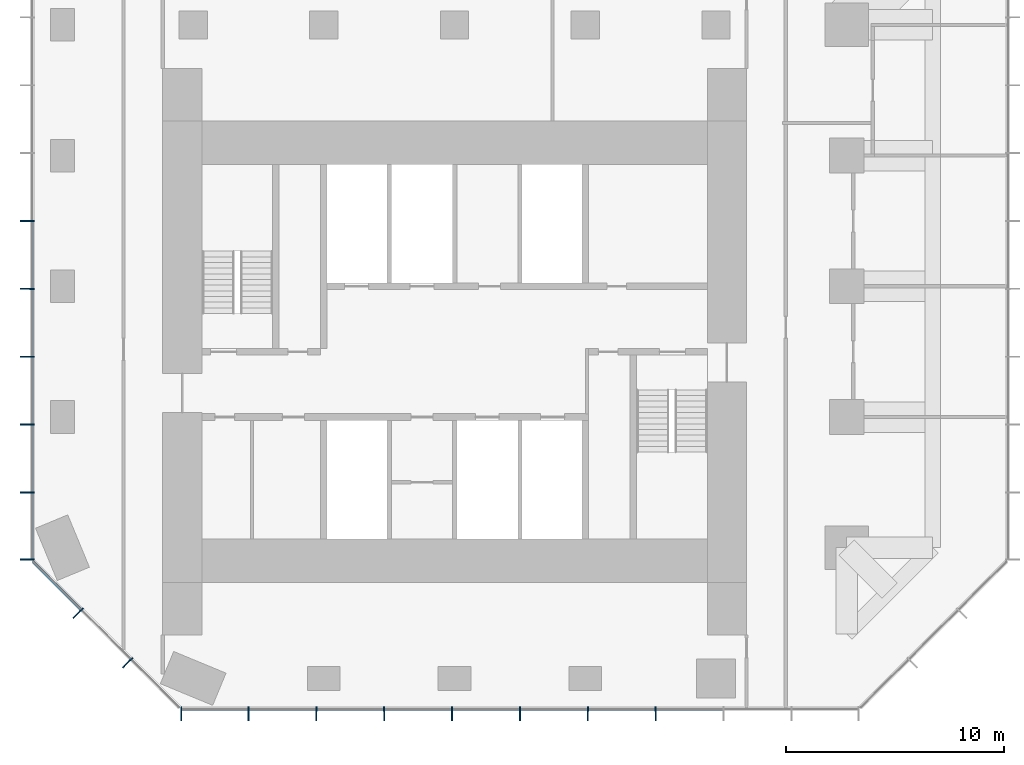
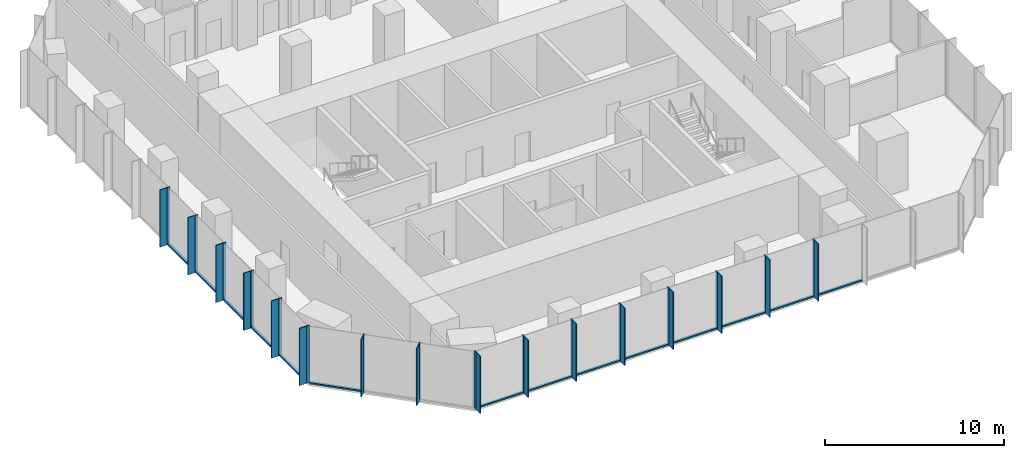
# One storey, part 2 of 11: 46 members, 3 elements without a shape of their own.
"""IFC4 building model written with IfcOpenShell, lengths in metres."""

from ifc_helpers import new_model, si_unit, direction, frame, origin, origin_2d, place, context, subcontext, project, spatial, rectangle, extrude, material, layer, layer_set, material_profile, profile_set, type_object, element, aggregate, save


model = new_model("IFC4")

# Units and contexts
model_context = context("Model", 3, precision=1e-05, world=origin(), true_north=direction((0.0, 1.0)))
body_context = subcontext(model_context, "Body", "Model", "MODEL_VIEW")
ifc_project = project(units=[si_unit("LENGTHUNIT", "METRE"), si_unit("AREAUNIT", "SQUARE_METRE"), si_unit("VOLUMEUNIT", "CUBIC_METRE"), si_unit("PLANEANGLEUNIT", "RADIAN"), si_unit("MASSUNIT", "GRAM", prefix="KILO")], contexts=[model_context])

# Site, building, storey
site_placement = place(None, origin())
site = spatial("IfcSite", under=ifc_project, at=site_placement, CompositionType="ELEMENT")
building_placement = place(site_placement, origin())
building = spatial("IfcBuilding", under=site, at=building_placement, Name="Highveld Stack Headquarters", CompositionType="ELEMENT")
storey_placement = place(building_placement, frame((0.0, 0.0, 173.300048828125)))
storey = spatial("IfcBuildingStorey", under=building, at=storey_placement, Name="L42", CompositionType="ELEMENT", Elevation=173.300048828125)

# Curtain wall, members
ifc_material_1 = material(Name="Aluminium bronze anodised", Category="aluminium")
ifc_layer_1 = layer(ifc_material_1, 0.199951171875)
ifc_layer_set_1 = layer_set([ifc_layer_1], Name="Aluminium bronze anodised")
curtain_wall_type_1 = type_object("IfcCurtainWallType", Name="CW1 TOWER UNITISED CURTAIN WALL", PredefinedType="NOTDEFINED", material=ifc_layer_set_1)
curtain_wall_1_placement = place(storey_placement, origin())
curtain_wall_1 = element("IfcCurtainWall", 1, at=curtain_wall_1_placement, inside=storey, type_object=curtain_wall_type_1, Name="Curtain wall CW1 L42 S", PredefinedType="NOTDEFINED")
ifc_material_2 = material(Name="Aluminium bronze anodised", Category="aluminium")
ifc_material_profile_1 = material_profile(ifc_material_2, rectangle(XDim=0.449951171875, YDim=0.06005859375, at=origin_2d()), Name="FIN 450x60")
ifc_profile_set_1 = profile_set([ifc_material_profile_1], Name="Aluminium bronze anodised")
member_type_1 = type_object("IfcMemberType", Name="CW1 BRONZE FIN 450x60", PredefinedType="USERDEFINED", material=ifc_profile_set_1)
member_1_placement = place(storey_placement, frame((-6.54736328125, -13.72509765625, 0.0), z_axis=(0.0, 0.0, 1.0), x_axis=(0.0, 1.0, 0.0)))
member_1 = element("IfcMember", 2, at=member_1_placement, type_object=member_type_1, Name="CW1 fin L42 1", ObjectType="FIN", PredefinedType="USERDEFINED", context=body_context, shape_type="SweptSolid", body=[
    extrude(rectangle(XDim=0.449951171875, YDim=0.06005859375, at=origin_2d()), origin(), (0.0, 0.0, 1.0), 3.89990234375),
])
member_2_placement = place(storey_placement, frame((-3.4638671875, -13.72509765625, 0.0), z_axis=(0.0, 0.0, 1.0), x_axis=(0.0, 1.0, 0.0)))
member_2 = element("IfcMember", 3, at=member_2_placement, type_object=member_type_1, Name="CW1 fin L42 2", ObjectType="FIN", PredefinedType="USERDEFINED", context=body_context, shape_type="SweptSolid", body=[
    extrude(rectangle(XDim=0.449951171875, YDim=0.06005859375, at=origin_2d()), origin(), (0.0, 0.0, 1.0), 3.89990234375),
])
member_3_placement = place(storey_placement, frame((-0.347900390625, -13.72509765625, 0.0), z_axis=(0.0, 0.0, 1.0), x_axis=(0.0, 1.0, 0.0)))
member_3 = element("IfcMember", 4, at=member_3_placement, type_object=member_type_1, Name="CW1 fin L42 3", ObjectType="FIN", PredefinedType="USERDEFINED", context=body_context, shape_type="SweptSolid", body=[
    extrude(rectangle(XDim=0.449951171875, YDim=0.06005859375, at=origin_2d()), origin(), (0.0, 0.0, 1.0), 3.89990234375),
])
member_4_placement = place(storey_placement, frame((2.76806640625, -13.72509765625, 0.0), z_axis=(0.0, 0.0, 1.0), x_axis=(0.0, 1.0, 0.0)))
member_4 = element("IfcMember", 5, at=member_4_placement, type_object=member_type_1, Name="CW1 fin L42 4", ObjectType="FIN", PredefinedType="USERDEFINED", context=body_context, shape_type="SweptSolid", body=[
    extrude(rectangle(XDim=0.449951171875, YDim=0.06005859375, at=origin_2d()), origin(), (0.0, 0.0, 1.0), 3.89990234375),
])
member_5_placement = place(storey_placement, frame((5.884033203125, -13.72509765625, 0.0), z_axis=(0.0, 0.0, 1.0), x_axis=(0.0, 1.0, 0.0)))
member_5 = element("IfcMember", 6, at=member_5_placement, type_object=member_type_1, Name="CW1 fin L42 5", ObjectType="FIN", PredefinedType="USERDEFINED", context=body_context, shape_type="SweptSolid", body=[
    extrude(rectangle(XDim=0.449951171875, YDim=0.06005859375, at=origin_2d()), origin(), (0.0, 0.0, 1.0), 3.89990234375),
])
member_6_placement = place(storey_placement, frame((9.0, -13.72509765625, 0.0), z_axis=(0.0, 0.0, 1.0), x_axis=(0.0, 1.0, 0.0)))
member_6 = element("IfcMember", 7, at=member_6_placement, type_object=member_type_1, Name="CW1 fin L42 6", ObjectType="FIN", PredefinedType="USERDEFINED", context=body_context, shape_type="SweptSolid", body=[
    extrude(rectangle(XDim=0.449951171875, YDim=0.06005859375, at=origin_2d()), origin(), (0.0, 0.0, 1.0), 3.89990234375),
])
member_7_placement = place(storey_placement, frame((12.115966796875, -13.72509765625, 0.0), z_axis=(0.0, 0.0, 1.0), x_axis=(0.0, 1.0, 0.0)))
member_7 = element("IfcMember", 8, at=member_7_placement, type_object=member_type_1, Name="CW1 fin L42 7", ObjectType="FIN", PredefinedType="USERDEFINED", context=body_context, shape_type="SweptSolid", body=[
    extrude(rectangle(XDim=0.449951171875, YDim=0.06005859375, at=origin_2d()), origin(), (0.0, 0.0, 1.0), 3.89990234375),
])
member_8_placement = place(storey_placement, frame((15.23193359375, -13.72509765625, 0.0), z_axis=(0.0, 0.0, 1.0), x_axis=(0.0, 1.0, 0.0)))
member_8 = element("IfcMember", 9, at=member_8_placement, type_object=member_type_1, Name="CW1 fin L42 8", ObjectType="FIN", PredefinedType="USERDEFINED", context=body_context, shape_type="SweptSolid", body=[
    extrude(rectangle(XDim=0.449951171875, YDim=0.06005859375, at=origin_2d()), origin(), (0.0, 0.0, 1.0), 3.89990234375),
])

curtain_wall_2_placement = place(storey_placement, origin())
curtain_wall_2 = element("IfcCurtainWall", 10, at=curtain_wall_2_placement, inside=storey, type_object=curtain_wall_type_1, Name="Curtain wall CW1 L42 W", PredefinedType="NOTDEFINED")
member_9_placement = place(storey_placement, frame((-13.72509765625, 9.0, 0.0), z_axis=(0.0, 0.0, 1.0), x_axis=(1.0, 0.0, 0.0)))
member_9 = element("IfcMember", 11, at=member_9_placement, type_object=member_type_1, Name="CW1 fin L42 6", ObjectType="FIN", PredefinedType="USERDEFINED", context=body_context, shape_type="SweptSolid", body=[
    extrude(rectangle(XDim=0.449951171875, YDim=0.06005859375, at=origin_2d()), origin(), (0.0, 0.0, 1.0), 3.89990234375),
])
member_10_placement = place(storey_placement, frame((-13.72509765625, 5.884033203125, 0.0), z_axis=(0.0, 0.0, 1.0), x_axis=(1.0, 0.0, 0.0)))
member_10 = element("IfcMember", 12, at=member_10_placement, type_object=member_type_1, Name="CW1 fin L42 7", ObjectType="FIN", PredefinedType="USERDEFINED", context=body_context, shape_type="SweptSolid", body=[
    extrude(rectangle(XDim=0.449951171875, YDim=0.06005859375, at=origin_2d()), origin(), (0.0, 0.0, 1.0), 3.89990234375),
])
member_11_placement = place(storey_placement, frame((-13.72509765625, 2.76806640625, 0.0), z_axis=(0.0, 0.0, 1.0), x_axis=(1.0, 0.0, 0.0)))
member_11 = element("IfcMember", 13, at=member_11_placement, type_object=member_type_1, Name="CW1 fin L42 8", ObjectType="FIN", PredefinedType="USERDEFINED", context=body_context, shape_type="SweptSolid", body=[
    extrude(rectangle(XDim=0.449951171875, YDim=0.06005859375, at=origin_2d()), origin(), (0.0, 0.0, 1.0), 3.89990234375),
])
member_12_placement = place(storey_placement, frame((-13.72509765625, -0.347900390625, 0.0), z_axis=(0.0, 0.0, 1.0), x_axis=(1.0, 0.0, 0.0)))
member_12 = element("IfcMember", 14, at=member_12_placement, type_object=member_type_1, Name="CW1 fin L42 9", ObjectType="FIN", PredefinedType="USERDEFINED", context=body_context, shape_type="SweptSolid", body=[
    extrude(rectangle(XDim=0.449951171875, YDim=0.06005859375, at=origin_2d()), origin(), (0.0, 0.0, 1.0), 3.89990234375),
])
member_13_placement = place(storey_placement, frame((-13.72509765625, -3.4638671875, 0.0), z_axis=(0.0, 0.0, 1.0), x_axis=(1.0, 0.0, 0.0)))
member_13 = element("IfcMember", 15, at=member_13_placement, type_object=member_type_1, Name="CW1 fin L42 10", ObjectType="FIN", PredefinedType="USERDEFINED", context=body_context, shape_type="SweptSolid", body=[
    extrude(rectangle(XDim=0.449951171875, YDim=0.06005859375, at=origin_2d()), origin(), (0.0, 0.0, 1.0), 3.89990234375),
])
member_14_placement = place(storey_placement, frame((-13.72509765625, -6.54736328125, 0.0), z_axis=(0.0, 0.0, 1.0), x_axis=(1.0, 0.0, 0.0)))
member_14 = element("IfcMember", 16, at=member_14_placement, type_object=member_type_1, Name="CW1 fin L42 11", ObjectType="FIN", PredefinedType="USERDEFINED", context=body_context, shape_type="SweptSolid", body=[
    extrude(rectangle(XDim=0.449951171875, YDim=0.06005859375, at=origin_2d()), origin(), (0.0, 0.0, 1.0), 3.89990234375),
])

# Member
ifc_material_3 = material(Name="Aluminium bronze anodised", Category="aluminium")
ifc_material_profile_2 = material_profile(ifc_material_3, rectangle(XDim=0.199951171875, YDim=0.06494140625, at=origin_2d()), Name="CW1 MULLION 65x200")
ifc_profile_set_2 = profile_set([ifc_material_profile_2], Name="Aluminium bronze anodised")
member_type_2 = type_object("IfcMemberType", Name="CW1 MULLION 65x200", PredefinedType="MULLION", material=ifc_profile_set_2)
member_15_placement = place(storey_placement, frame((-6.54736328125, -13.39990234375, 0.0), z_axis=(0.0, 0.0, 1.0), x_axis=(0.0, 1.0, 0.0)))
member_15 = element("IfcMember", 17, at=member_15_placement, type_object=member_type_2, Name="CW1 mullion L42 1", PredefinedType="MULLION", context=body_context, shape_type="SweptSolid", body=[
    extrude(rectangle(XDim=0.199951171875, YDim=0.06494140625, at=origin_2d()), origin(), (0.0, 0.0, 1.0), 3.89990234375),
])

member_16_placement = place(storey_placement, frame((-3.4638671875, -13.39990234375, 0.0), z_axis=(0.0, 0.0, 1.0), x_axis=(0.0, 1.0, 0.0)))
member_16 = element("IfcMember", 18, at=member_16_placement, type_object=member_type_2, Name="CW1 mullion L42 2", PredefinedType="MULLION", context=body_context, shape_type="SweptSolid", body=[
    extrude(rectangle(XDim=0.199951171875, YDim=0.06494140625, at=origin_2d()), origin(), (0.0, 0.0, 1.0), 3.89990234375),
])

member_17_placement = place(storey_placement, frame((-0.347900390625, -13.39990234375, 0.0), z_axis=(0.0, 0.0, 1.0), x_axis=(0.0, 1.0, 0.0)))
member_17 = element("IfcMember", 19, at=member_17_placement, type_object=member_type_2, Name="CW1 mullion L42 3", PredefinedType="MULLION", context=body_context, shape_type="SweptSolid", body=[
    extrude(rectangle(XDim=0.199951171875, YDim=0.06494140625, at=origin_2d()), origin(), (0.0, 0.0, 1.0), 3.89990234375),
])

member_18_placement = place(storey_placement, frame((2.76806640625, -13.39990234375, 0.0), z_axis=(0.0, 0.0, 1.0), x_axis=(0.0, 1.0, 0.0)))
member_18 = element("IfcMember", 20, at=member_18_placement, type_object=member_type_2, Name="CW1 mullion L42 4", PredefinedType="MULLION", context=body_context, shape_type="SweptSolid", body=[
    extrude(rectangle(XDim=0.199951171875, YDim=0.06494140625, at=origin_2d()), origin(), (0.0, 0.0, 1.0), 3.89990234375),
])

member_19_placement = place(storey_placement, frame((5.884033203125, -13.39990234375, 0.0), z_axis=(0.0, 0.0, 1.0), x_axis=(0.0, 1.0, 0.0)))
member_19 = element("IfcMember", 21, at=member_19_placement, type_object=member_type_2, Name="CW1 mullion L42 5", PredefinedType="MULLION", context=body_context, shape_type="SweptSolid", body=[
    extrude(rectangle(XDim=0.199951171875, YDim=0.06494140625, at=origin_2d()), origin(), (0.0, 0.0, 1.0), 3.89990234375),
])

member_20_placement = place(storey_placement, frame((9.0, -13.39990234375, 0.0), z_axis=(0.0, 0.0, 1.0), x_axis=(0.0, 1.0, 0.0)))
member_20 = element("IfcMember", 22, at=member_20_placement, type_object=member_type_2, Name="CW1 mullion L42 6", PredefinedType="MULLION", context=body_context, shape_type="SweptSolid", body=[
    extrude(rectangle(XDim=0.199951171875, YDim=0.06494140625, at=origin_2d()), origin(), (0.0, 0.0, 1.0), 3.89990234375),
])

member_21_placement = place(storey_placement, frame((12.115966796875, -13.39990234375, 0.0), z_axis=(0.0, 0.0, 1.0), x_axis=(0.0, 1.0, 0.0)))
member_21 = element("IfcMember", 23, at=member_21_placement, type_object=member_type_2, Name="CW1 mullion L42 7", PredefinedType="MULLION", context=body_context, shape_type="SweptSolid", body=[
    extrude(rectangle(XDim=0.199951171875, YDim=0.06494140625, at=origin_2d()), origin(), (0.0, 0.0, 1.0), 3.89990234375),
])

member_22_placement = place(storey_placement, frame((15.23193359375, -13.39990234375, 0.0), z_axis=(0.0, 0.0, 1.0), x_axis=(0.0, 1.0, 0.0)))
member_22 = element("IfcMember", 24, at=member_22_placement, type_object=member_type_2, Name="CW1 mullion L42 8", PredefinedType="MULLION", context=body_context, shape_type="SweptSolid", body=[
    extrude(rectangle(XDim=0.199951171875, YDim=0.06494140625, at=origin_2d()), origin(), (0.0, 0.0, 1.0), 3.89990234375),
])

member_23_placement = place(storey_placement, frame((-13.39990234375, 9.0, 0.0), z_axis=(0.0, 0.0, 1.0), x_axis=(1.0, 0.0, 0.0)))
member_23 = element("IfcMember", 25, at=member_23_placement, type_object=member_type_2, Name="CW1 mullion L42 6", PredefinedType="MULLION", context=body_context, shape_type="SweptSolid", body=[
    extrude(rectangle(XDim=0.199951171875, YDim=0.06494140625, at=origin_2d()), origin(), (0.0, 0.0, 1.0), 3.89990234375),
])

member_24_placement = place(storey_placement, frame((-13.39990234375, 5.884033203125, 0.0), z_axis=(0.0, 0.0, 1.0), x_axis=(1.0, 0.0, 0.0)))
member_24 = element("IfcMember", 26, at=member_24_placement, type_object=member_type_2, Name="CW1 mullion L42 7", PredefinedType="MULLION", context=body_context, shape_type="SweptSolid", body=[
    extrude(rectangle(XDim=0.199951171875, YDim=0.06494140625, at=origin_2d()), origin(), (0.0, 0.0, 1.0), 3.89990234375),
])

member_25_placement = place(storey_placement, frame((-13.39990234375, 2.76806640625, 0.0), z_axis=(0.0, 0.0, 1.0), x_axis=(1.0, 0.0, 0.0)))
member_25 = element("IfcMember", 27, at=member_25_placement, type_object=member_type_2, Name="CW1 mullion L42 8", PredefinedType="MULLION", context=body_context, shape_type="SweptSolid", body=[
    extrude(rectangle(XDim=0.199951171875, YDim=0.06494140625, at=origin_2d()), origin(), (0.0, 0.0, 1.0), 3.89990234375),
])

member_26_placement = place(storey_placement, frame((-13.39990234375, -0.347900390625, 0.0), z_axis=(0.0, 0.0, 1.0), x_axis=(1.0, 0.0, 0.0)))
member_26 = element("IfcMember", 28, at=member_26_placement, type_object=member_type_2, Name="CW1 mullion L42 9", PredefinedType="MULLION", context=body_context, shape_type="SweptSolid", body=[
    extrude(rectangle(XDim=0.199951171875, YDim=0.06494140625, at=origin_2d()), origin(), (0.0, 0.0, 1.0), 3.89990234375),
])

member_27_placement = place(storey_placement, frame((-13.39990234375, -3.4638671875, 0.0), z_axis=(0.0, 0.0, 1.0), x_axis=(1.0, 0.0, 0.0)))
member_27 = element("IfcMember", 29, at=member_27_placement, type_object=member_type_2, Name="CW1 mullion L42 10", PredefinedType="MULLION", context=body_context, shape_type="SweptSolid", body=[
    extrude(rectangle(XDim=0.199951171875, YDim=0.06494140625, at=origin_2d()), origin(), (0.0, 0.0, 1.0), 3.89990234375),
])

member_28_placement = place(storey_placement, frame((-13.39990234375, -6.54736328125, 0.0), z_axis=(0.0, 0.0, 1.0), x_axis=(1.0, 0.0, 0.0)))
member_28 = element("IfcMember", 30, at=member_28_placement, type_object=member_type_2, Name="CW1 mullion L42 11", PredefinedType="MULLION", context=body_context, shape_type="SweptSolid", body=[
    extrude(rectangle(XDim=0.199951171875, YDim=0.06494140625, at=origin_2d()), origin(), (0.0, 0.0, 1.0), 3.89990234375),
])

ifc_material_4 = material(Name="Aluminium bronze anodised", Category="aluminium")
ifc_material_profile_3 = material_profile(ifc_material_4, rectangle(XDim=0.14990234375, YDim=0.10009765625, at=origin_2d()), Name="CW1 TRANSOM 150x100")
ifc_profile_set_3 = profile_set([ifc_material_profile_3], Name="Aluminium bronze anodised")
member_type_3 = type_object("IfcMemberType", Name="CW1 STACK TRANSOM 150x100", PredefinedType="USERDEFINED", material=ifc_profile_set_3)
member_29_placement = place(storey_placement, frame((-6.514892578125, -13.39990234375, 0.050048828125), z_axis=(1.0, 0.0, 0.0), x_axis=(0.0, 1.0, 0.0)))
member_29 = element("IfcMember", 31, at=member_29_placement, type_object=member_type_3, Name="CW1 transom L42 1.1", ObjectType="TRANSOM", PredefinedType="USERDEFINED", context=body_context, shape_type="SweptSolid", body=[
    extrude(rectangle(XDim=0.14990234375, YDim=0.10009765625, at=origin_2d()), origin(), (0.0, 0.0, 1.0), 3.0185546875),
])

member_30_placement = place(storey_placement, frame((-3.431396484375, -13.39990234375, 0.050048828125), z_axis=(1.0, 0.0, 0.0), x_axis=(0.0, 1.0, 0.0)))
member_30 = element("IfcMember", 32, at=member_30_placement, type_object=member_type_3, Name="CW1 transom L42 2.1", ObjectType="TRANSOM", PredefinedType="USERDEFINED", context=body_context, shape_type="SweptSolid", body=[
    extrude(rectangle(XDim=0.14990234375, YDim=0.10009765625, at=origin_2d()), origin(), (0.0, 0.0, 1.0), 3.051025390625),
])

member_31_placement = place(storey_placement, frame((-0.3154296875, -13.39990234375, 0.050048828125), z_axis=(1.0, 0.0, 0.0), x_axis=(0.0, 1.0, 0.0)))
member_31 = element("IfcMember", 33, at=member_31_placement, type_object=member_type_3, Name="CW1 transom L42 3.1", ObjectType="TRANSOM", PredefinedType="USERDEFINED", context=body_context, shape_type="SweptSolid", body=[
    extrude(rectangle(XDim=0.14990234375, YDim=0.10009765625, at=origin_2d()), origin(), (0.0, 0.0, 1.0), 3.051025390625),
])

member_32_placement = place(storey_placement, frame((2.800537109375, -13.39990234375, 0.050048828125), z_axis=(1.0, 0.0, 0.0), x_axis=(0.0, 1.0, 0.0)))
member_32 = element("IfcMember", 34, at=member_32_placement, type_object=member_type_3, Name="CW1 transom L42 4.1", ObjectType="TRANSOM", PredefinedType="USERDEFINED", context=body_context, shape_type="SweptSolid", body=[
    extrude(rectangle(XDim=0.14990234375, YDim=0.10009765625, at=origin_2d()), origin(), (0.0, 0.0, 1.0), 3.051025390625),
])

member_33_placement = place(storey_placement, frame((5.91650390625, -13.39990234375, 0.050048828125), z_axis=(1.0, 0.0, 0.0), x_axis=(0.0, 1.0, 0.0)))
member_33 = element("IfcMember", 35, at=member_33_placement, type_object=member_type_3, Name="CW1 transom L42 5.1", ObjectType="TRANSOM", PredefinedType="USERDEFINED", context=body_context, shape_type="SweptSolid", body=[
    extrude(rectangle(XDim=0.14990234375, YDim=0.10009765625, at=origin_2d()), origin(), (0.0, 0.0, 1.0), 3.051025390625),
])

member_34_placement = place(storey_placement, frame((9.032470703125, -13.39990234375, 0.050048828125), z_axis=(1.0, 0.0, 0.0), x_axis=(0.0, 1.0, 0.0)))
member_34 = element("IfcMember", 36, at=member_34_placement, type_object=member_type_3, Name="CW1 transom L42 6.1", ObjectType="TRANSOM", PredefinedType="USERDEFINED", context=body_context, shape_type="SweptSolid", body=[
    extrude(rectangle(XDim=0.14990234375, YDim=0.10009765625, at=origin_2d()), origin(), (0.0, 0.0, 1.0), 3.051025390625),
])

member_35_placement = place(storey_placement, frame((12.1484375, -13.39990234375, 0.050048828125), z_axis=(1.0, 0.0, 0.0), x_axis=(0.0, 1.0, 0.0)))
member_35 = element("IfcMember", 37, at=member_35_placement, type_object=member_type_3, Name="CW1 transom L42 7.1", ObjectType="TRANSOM", PredefinedType="USERDEFINED", context=body_context, shape_type="SweptSolid", body=[
    extrude(rectangle(XDim=0.14990234375, YDim=0.10009765625, at=origin_2d()), origin(), (0.0, 0.0, 1.0), 3.051025390625),
])

member_36_placement = place(storey_placement, frame((15.264404296875, -13.39990234375, 0.050048828125), z_axis=(1.0, 0.0, 0.0), x_axis=(0.0, 1.0, 0.0)))
member_36 = element("IfcMember", 38, at=member_36_placement, type_object=member_type_3, Name="CW1 transom L42 8.1", ObjectType="TRANSOM", PredefinedType="USERDEFINED", context=body_context, shape_type="SweptSolid", body=[
    extrude(rectangle(XDim=0.14990234375, YDim=0.10009765625, at=origin_2d()), origin(), (0.0, 0.0, 1.0), 3.051025390625),
])

aggregate(curtain_wall_1, [member_15, member_1, member_16, member_2, member_17, member_3, member_18, member_4, member_19, member_5, member_20, member_6, member_21, member_7, member_22, member_8, member_29, member_30, member_31, member_32, member_33, member_34, member_35, member_36])

member_37_placement = place(storey_placement, frame((-13.39990234375, 8.967529296875, 0.050048828125), z_axis=(0.0, -1.0, 0.0), x_axis=(1.0, 0.0, 0.0)))
member_37 = element("IfcMember", 39, at=member_37_placement, type_object=member_type_3, Name="CW1 transom L42 6.1", ObjectType="TRANSOM", PredefinedType="USERDEFINED", context=body_context, shape_type="SweptSolid", body=[
    extrude(rectangle(XDim=0.14990234375, YDim=0.10009765625, at=origin_2d()), origin(), (0.0, 0.0, 1.0), 3.051025390625),
])

member_38_placement = place(storey_placement, frame((-13.39990234375, 5.8515625, 0.050048828125), z_axis=(0.0, -1.0, 0.0), x_axis=(1.0, 0.0, 0.0)))
member_38 = element("IfcMember", 40, at=member_38_placement, type_object=member_type_3, Name="CW1 transom L42 7.1", ObjectType="TRANSOM", PredefinedType="USERDEFINED", context=body_context, shape_type="SweptSolid", body=[
    extrude(rectangle(XDim=0.14990234375, YDim=0.10009765625, at=origin_2d()), origin(), (0.0, 0.0, 1.0), 3.051025390625),
])

member_39_placement = place(storey_placement, frame((-13.39990234375, 2.735595703125, 0.050048828125), z_axis=(0.0, -1.0, 0.0), x_axis=(1.0, 0.0, 0.0)))
member_39 = element("IfcMember", 41, at=member_39_placement, type_object=member_type_3, Name="CW1 transom L42 8.1", ObjectType="TRANSOM", PredefinedType="USERDEFINED", context=body_context, shape_type="SweptSolid", body=[
    extrude(rectangle(XDim=0.14990234375, YDim=0.10009765625, at=origin_2d()), origin(), (0.0, 0.0, 1.0), 3.051025390625),
])

member_40_placement = place(storey_placement, frame((-13.39990234375, -0.38037109375, 0.050048828125), z_axis=(0.0, -1.0, 0.0), x_axis=(1.0, 0.0, 0.0)))
member_40 = element("IfcMember", 42, at=member_40_placement, type_object=member_type_3, Name="CW1 transom L42 9.1", ObjectType="TRANSOM", PredefinedType="USERDEFINED", context=body_context, shape_type="SweptSolid", body=[
    extrude(rectangle(XDim=0.14990234375, YDim=0.10009765625, at=origin_2d()), origin(), (0.0, 0.0, 1.0), 3.051025390625),
])

member_41_placement = place(storey_placement, frame((-13.39990234375, -3.496337890625, 0.050048828125), z_axis=(0.0, -1.0, 0.0), x_axis=(1.0, 0.0, 0.0)))
member_41 = element("IfcMember", 43, at=member_41_placement, type_object=member_type_3, Name="CW1 transom L42 10.1", ObjectType="TRANSOM", PredefinedType="USERDEFINED", context=body_context, shape_type="SweptSolid", body=[
    extrude(rectangle(XDim=0.14990234375, YDim=0.10009765625, at=origin_2d()), origin(), (0.0, 0.0, 1.0), 3.0185546875),
])

aggregate(curtain_wall_2, [member_23, member_9, member_24, member_10, member_25, member_11, member_26, member_12, member_27, member_13, member_28, member_14, member_37, member_38, member_39, member_40, member_41])

# Curtain wall, members
ifc_material_5 = material(Name="Aluminium bronze anodised", Category="aluminium")
ifc_layer_2 = layer(ifc_material_5, 0.199951171875)
ifc_layer_set_2 = layer_set([ifc_layer_2], Name="Aluminium bronze anodised")
curtain_wall_type_2 = type_object("IfcCurtainWallType", Name="CW2 TOWER CHAMFER UNITISED CURTAIN WALL", PredefinedType="NOTDEFINED", material=ifc_layer_set_2)
curtain_wall_3_placement = place(storey_placement, origin())
curtain_wall_3 = element("IfcCurtainWall", 44, at=curtain_wall_3_placement, inside=storey, type_object=curtain_wall_type_2, Name="Curtain wall CW2 L42 SW", PredefinedType="NOTDEFINED")
ifc_material_6 = material(Name="Aluminium bronze anodised", Category="aluminium")
ifc_material_profile_4 = material_profile(ifc_material_6, rectangle(XDim=0.449951171875, YDim=0.06005859375, at=origin_2d()), Name="FIN 450x60")
ifc_profile_set_4 = profile_set([ifc_material_profile_4], Name="Aluminium bronze anodised")
member_type_4 = type_object("IfcMemberType", Name="CW2 BRONZE FIN 450x60", PredefinedType="USERDEFINED", material=ifc_profile_set_4)
member_42_placement = place(storey_placement, frame((-11.3564453125, -9.0830078125, 0.0), z_axis=(0.0, 0.0, 1.0), x_axis=(0.707106781187, 0.707106781187, 0.0)))
member_42 = element("IfcMember", 45, at=member_42_placement, type_object=member_type_4, Name="CW2 fin L42 1", ObjectType="FIN", PredefinedType="USERDEFINED", context=body_context, shape_type="SweptSolid", body=[
    extrude(rectangle(XDim=0.449951171875, YDim=0.06005859375, at=origin_2d()), origin(), (0.0, 0.0, 1.0), 3.89990234375),
])
member_43_placement = place(storey_placement, frame((-9.0830078125, -11.3564453125, 0.0), z_axis=(0.0, 0.0, 1.0), x_axis=(0.707106781187, 0.707106781187, 0.0)))
member_43 = element("IfcMember", 46, at=member_43_placement, type_object=member_type_4, Name="CW2 fin L42 2", ObjectType="FIN", PredefinedType="USERDEFINED", context=body_context, shape_type="SweptSolid", body=[
    extrude(rectangle(XDim=0.449951171875, YDim=0.06005859375, at=origin_2d()), origin(), (0.0, 0.0, 1.0), 3.89990234375),
])
ifc_material_7 = material(Name="Aluminium bronze anodised", Category="aluminium")
ifc_material_profile_5 = material_profile(ifc_material_7, rectangle(XDim=0.199951171875, YDim=0.06494140625, at=origin_2d()), Name="CW2 MULLION 65x200")
ifc_profile_set_5 = profile_set([ifc_material_profile_5], Name="Aluminium bronze anodised")
member_type_5 = type_object("IfcMemberType", Name="CW2 MULLION 65x200", PredefinedType="MULLION", material=ifc_profile_set_5)
member_44_placement = place(storey_placement, frame((-11.126708984375, -8.853271484375, 0.0), z_axis=(0.0, 0.0, 1.0), x_axis=(0.707106781187, 0.707106781187, 0.0)))
member_44 = element("IfcMember", 47, at=member_44_placement, type_object=member_type_5, Name="CW2 mullion L42 1", PredefinedType="MULLION", context=body_context, shape_type="SweptSolid", body=[
    extrude(rectangle(XDim=0.199951171875, YDim=0.06494140625, at=origin_2d()), origin(), (0.0, 0.0, 1.0), 3.89990234375),
])
member_45_placement = place(storey_placement, frame((-8.853271484375, -11.126708984375, 0.0), z_axis=(0.0, 0.0, 1.0), x_axis=(0.707106781187, 0.707106781187, 0.0)))
member_45 = element("IfcMember", 48, at=member_45_placement, type_object=member_type_5, Name="CW2 mullion L42 2", PredefinedType="MULLION", context=body_context, shape_type="SweptSolid", body=[
    extrude(rectangle(XDim=0.199951171875, YDim=0.06494140625, at=origin_2d()), origin(), (0.0, 0.0, 1.0), 3.89990234375),
])
ifc_material_8 = material(Name="Aluminium bronze anodised", Category="aluminium")
ifc_material_profile_6 = material_profile(ifc_material_8, rectangle(XDim=0.14990234375, YDim=0.10009765625, at=origin_2d()), Name="CW2 TRANSOM 150x100")
ifc_profile_set_6 = profile_set([ifc_material_profile_6], Name="Aluminium bronze anodised")
member_type_6 = type_object("IfcMemberType", Name="CW2 STACK TRANSOM 150x100", PredefinedType="USERDEFINED", material=ifc_profile_set_6)
member_46_placement = place(storey_placement, frame((-13.329345703125, -6.650634765625, 0.050048828125), z_axis=(0.707106781187, -0.707106781187, 0.0), x_axis=(0.707106781187, 0.707106781187, 0.0)))
member_46 = element("IfcMember", 49, at=member_46_placement, type_object=member_type_6, Name="CW2 transom L42 1.1", ObjectType="TRANSOM", PredefinedType="USERDEFINED", context=body_context, shape_type="SweptSolid", body=[
    extrude(rectangle(XDim=0.14990234375, YDim=0.10009765625, at=origin_2d()), origin(), (0.0, 0.0, 1.0), 3.08251953125),
])
aggregate(curtain_wall_3, [member_44, member_42, member_45, member_43, member_46])

save(model, "model.ifc")
